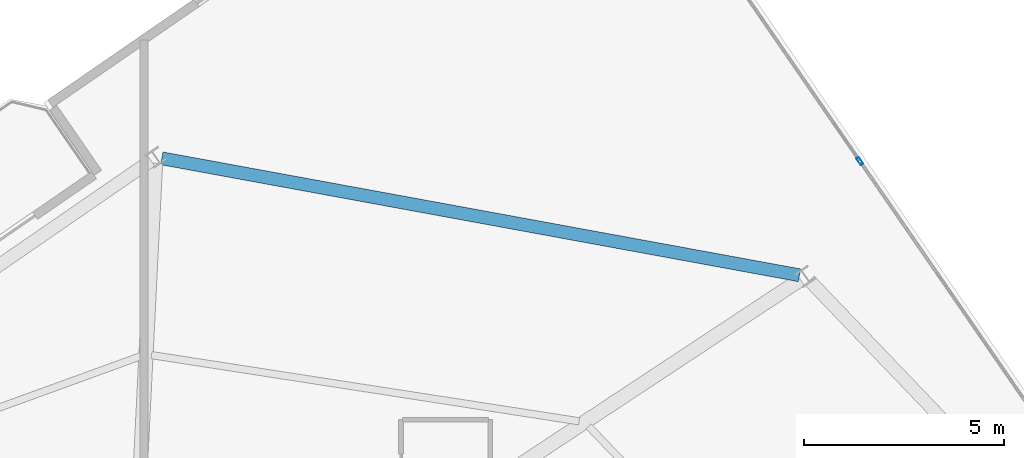
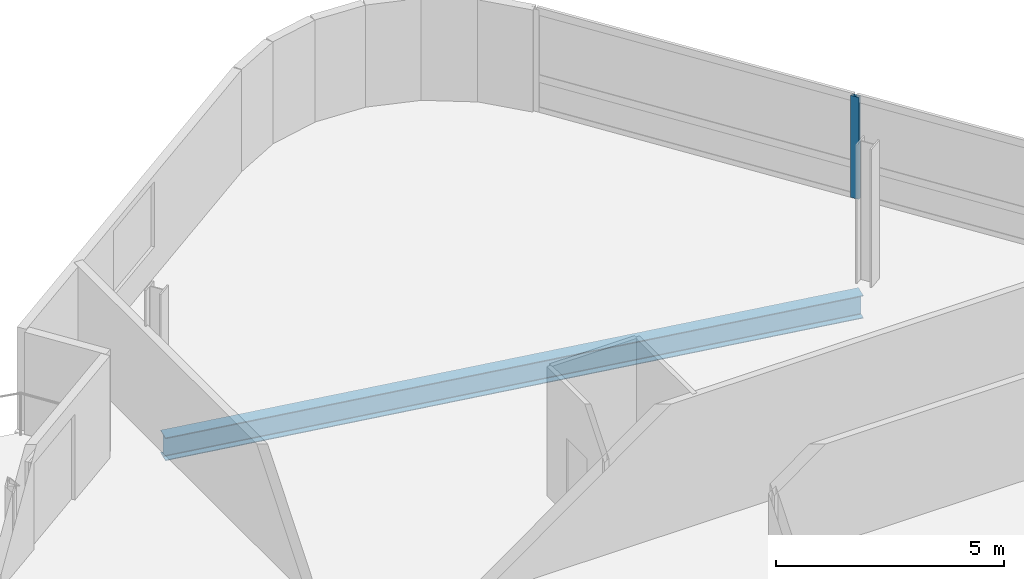
# One storey, part 9 of 21: 1 beam, 1 member, 1 element without a shape of its own.
"""IFC4 building model written with IfcOpenShell, lengths in metres."""

from ifc_helpers import new_model, si_unit, direction, frame, origin, origin_2d, place, context, subcontext, project, spatial, hollow_rectangle, i_section, extrude, material, layer, layer_set, material_profile, profile_set, type_object, element, aggregate, save


model = new_model("IFC4")

# Units and contexts
model_context = context("Model", 3, precision=1e-05, world=origin(), true_north=direction((0.0, 1.0)))
body_context = subcontext(model_context, "Body", "Model", "MODEL_VIEW")
ifc_project = project(units=[si_unit("LENGTHUNIT", "METRE"), si_unit("AREAUNIT", "SQUARE_METRE"), si_unit("VOLUMEUNIT", "CUBIC_METRE"), si_unit("PLANEANGLEUNIT", "RADIAN"), si_unit("MASSUNIT", "GRAM", prefix="KILO")], contexts=[model_context])

# Site, building, storey
site_placement = place(None, origin())
site = spatial("IfcSite", under=ifc_project, at=site_placement, CompositionType="ELEMENT")
building_placement = place(site_placement, origin())
building = spatial("IfcBuilding", under=site, at=building_placement, Name="Varnelok Gate Tower", CompositionType="ELEMENT")
storey_placement = place(building_placement, frame((0.0, 0.0, 265.60009765625)))
storey = spatial("IfcBuildingStorey", under=building, at=storey_placement, Name="L68", CompositionType="ELEMENT", Elevation=265.60009765625)

# Beam
ifc_material_1 = material(Name="Structural Steel ASTM A992 Grade 50", Category="steel")
ifc_material_profile_1 = material_profile(ifc_material_1, i_section(OverallWidth=0.323974609375, OverallDepth=0.611083984375, WebThickness=0.0126953125, FlangeThickness=0.01904296875, FilletRadius=0.01806640625, at=origin_2d()), Name="W24X104")
ifc_profile_set_1 = profile_set([ifc_material_profile_1], Name="Structural Steel ASTM A992 Grade 50")
beam_type = type_object("IfcBeamType", Name="BM-SPN-W24X104", PredefinedType="SPANDREL", material=ifc_profile_set_1)
beam_placement = place(storey_placement, frame((60.406005859375, 47.564453125, -0.5556640625), z_axis=(-0.98359926462, 0.180367642995, 0.0), x_axis=(-0.180367642995, -0.98359926462, 0.0)))
element("IfcBeam", 1, at=beam_placement, inside=storey, type_object=beam_type, Name="L68 Perimeter Spandrel Beam 8", PredefinedType="SPANDREL", context=body_context, shape_type="SweptSolid", body=[
    extrude(i_section(OverallWidth=0.323974609375, OverallDepth=0.611083984375, WebThickness=0.0126953125, FlangeThickness=0.01904296875, FilletRadius=0.01806640625, at=origin_2d()), origin(), (0.0, 0.0, 1.0), 16.23193359375),
])

# Curtain wall, member
ifc_material_2 = material(Name="Anodized Aluminum Alloy 6063-T6", Category="aluminium")
ifc_layer = layer(ifc_material_2, 0.179931640625)
ifc_layer_set = layer_set([ifc_layer], Name="Anodized Aluminum Alloy 6063-T6")
curtain_wall_type = type_object("IfcCurtainWallType", Name="CW4-RESIDENCE-VISION", PredefinedType="USERDEFINED", material=ifc_layer_set)
curtain_wall_placement = place(storey_placement, origin())
curtain_wall = element("IfcCurtainWall", 2, at=curtain_wall_placement, inside=storey, type_object=curtain_wall_type, Name="L68 East End Vision Curtain Wall", ObjectType="UNITISED CURTAIN WALL", PredefinedType="USERDEFINED")
ifc_material_profile_2 = material_profile(ifc_material_2, hollow_rectangle(XDim=0.074951171875, YDim=0.199951171875, WallThickness=0.00390625, at=origin_2d()), Name="ALU200X75X4")
ifc_profile_set_2 = profile_set([ifc_material_profile_2], Name="Anodized Aluminum Alloy 6063-T6")
member_type = type_object("IfcMemberType", Name="CW-MULL-200", PredefinedType="MULLION", material=ifc_profile_set_2)
member_placement = place(storey_placement, frame((61.9189453125, 50.420654296875, 0.0), z_axis=(0.0, 0.0, 1.0), x_axis=(0.823532290241, 0.567269395376, 0.0)))
member = element("IfcMember", 3, at=member_placement, type_object=member_type, Name="CW4 mullion 2", PredefinedType="MULLION", context=body_context, shape_type="SweptSolid", body=[
    extrude(hollow_rectangle(XDim=0.074951171875, YDim=0.199951171875, WallThickness=0.00390625, at=origin_2d()), origin(), (0.0, 0.0, 1.0), 2.72998046875),
])
aggregate(curtain_wall, [member])

save(model, "model.ifc")
